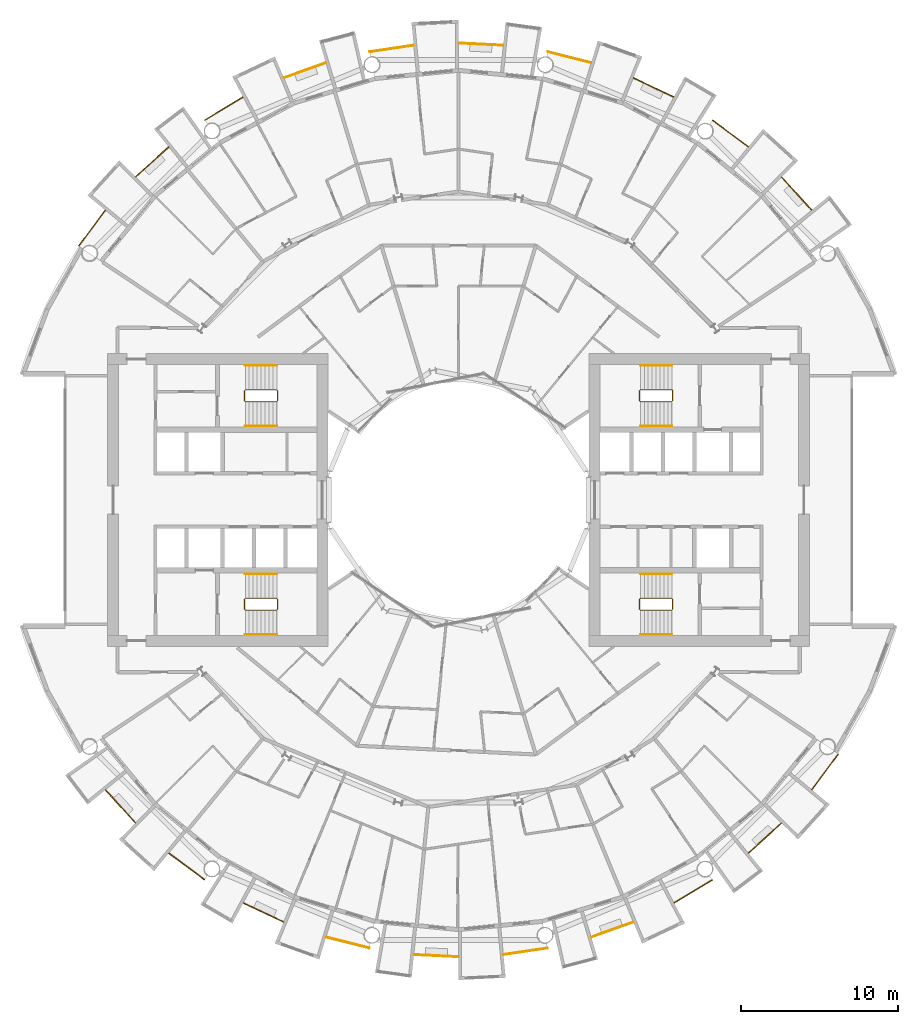
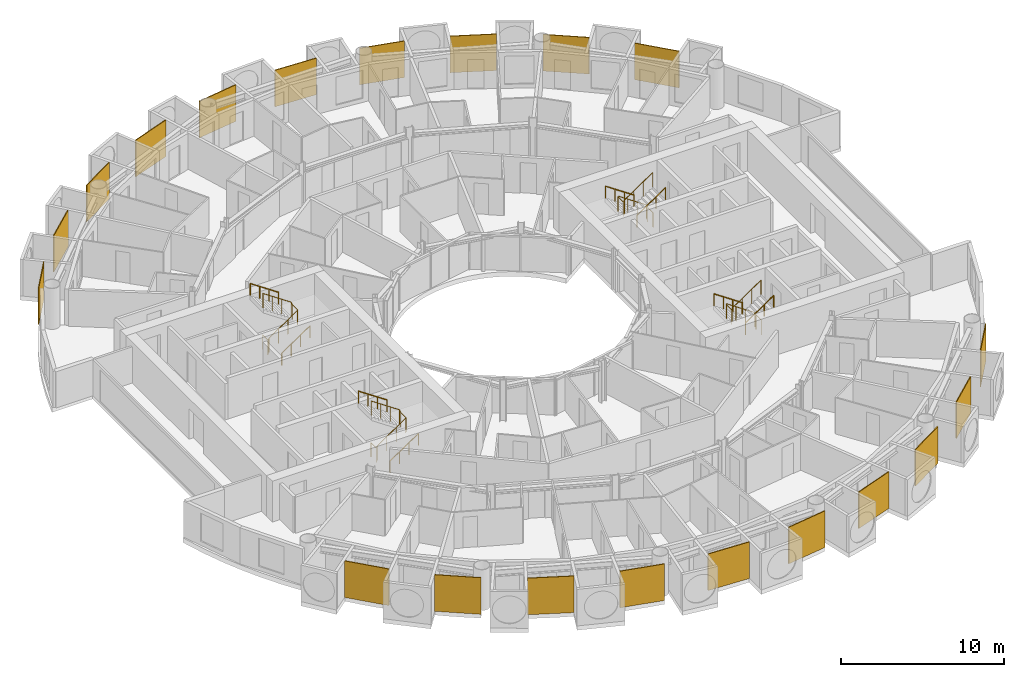
# One storey, part 26 of 26: 32 railings.
"""IFC4 building model written with IfcOpenShell, lengths in metres."""

import ifcopenshell
import ifcopenshell.guid

model = None  # the IFC model being written
_history = None  # IfcOwnerHistory: only IFC2X3 demands one
_inside = {}  # id of a spatial element -> (the spatial element, [elements in it])
_under = {}  # id of a project, library or spatial element -> (it, [spatial elements below it])
_declared = {}  # id of a project -> (the project, [libraries it declares])
_typed = {}  # id of a type object -> (the type object, [elements of that type])
_made_of = {}  # id of a material, layer set ... -> (it, [elements and type objects made of it])


def new_model(schema):
    """Start an empty IFC model of exactly this schema.

    Asked for "IFC4X3", IfcOpenShell would pick the latest addendum, in which some entities
    have other attributes; the version numbers below select the first issue.
    IFC2X3 requires an IfcOwnerHistory on every rooted entity: one is made here for all.
    """
    global model, _history
    if schema == "IFC4X3":
        model = ifcopenshell.file(schema_version=(4, 3, 0, 0))
    else:
        model = ifcopenshell.file(schema=schema)
    _inside.clear()
    _under.clear()
    _declared.clear()
    _typed.clear()
    _made_of.clear()
    _history = None
    if model.schema == "IFC2X3":
        org = make("IfcOrganization", Name="unknown")
        user = make(
            "IfcPersonAndOrganization",
            ThePerson=make("IfcPerson", FamilyName="unknown"),
            TheOrganization=org,
        )
        app = make(
            "IfcApplication",
            ApplicationDeveloper=org,
            Version="unknown",
            ApplicationFullName="unknown",
            ApplicationIdentifier="unknown",
        )
        _history = make(
            "IfcOwnerHistory",
            OwningUser=user,
            OwningApplication=app,
            ChangeAction="ADDED",
            CreationDate=0,
        )
    return model


def make(cls, **values):
    """One entity of the class cls with the attributes given. An attribute that is None is left unset."""
    return model.create_entity(
        cls, **{name: value for name, value in values.items() if value is not None}
    )


def rooted(cls, **values):
    """An entity with a GlobalId (a new one), such as an element, a storey or a relation."""
    return make(cls, GlobalId=ifcopenshell.guid.new(), OwnerHistory=_history, **values)


def si_unit(unit_type, name, prefix=None):
    """IfcSIUnit, for example si_unit("LENGTHUNIT", "METRE", prefix="MILLI")."""
    return make("IfcSIUnit", UnitType=unit_type, Prefix=prefix, Name=name)


def assignment(units):
    """IfcUnitAssignment: the units of a project."""
    return None if units is None else make("IfcUnitAssignment", Units=units)


def point(xyz):
    """IfcCartesianPoint."""
    return None if xyz is None else make("IfcCartesianPoint", Coordinates=xyz)


def direction(xyz):
    """IfcDirection."""
    return None if xyz is None else make("IfcDirection", DirectionRatios=xyz)


def frame(location, z_axis=None, x_axis=None):
    """IfcAxis2Placement3D, a coordinate frame: its origin and axes. An axis left out is left unset."""
    return make(
        "IfcAxis2Placement3D",
        Location=point(location),
        Axis=direction(z_axis),
        RefDirection=direction(x_axis),
    )


def frame_2d(location, x_axis=None):
    """IfcAxis2Placement2D, a coordinate frame in the plane: its origin and x axis."""
    return make(
        "IfcAxis2Placement2D", Location=point(location), RefDirection=direction(x_axis)
    )


def origin():
    """The frame at (0, 0, 0) with its axes left unset."""
    return frame((0.0, 0.0, 0.0))


def origin_2d():
    """The frame at (0, 0) in the plane with its x axis left unset."""
    return frame_2d((0.0, 0.0))


def place(relative_to, where):
    """IfcLocalPlacement: puts the frame where relative to a parent placement (None: the world)."""
    return make(
        "IfcLocalPlacement", PlacementRelTo=relative_to, RelativePlacement=where
    )


def context(
    kind, dimensions, precision=None, world=None, true_north=None, identifier=None
):
    """IfcGeometricRepresentationContext, for example the 3D "Model" context."""
    return make(
        "IfcGeometricRepresentationContext",
        ContextIdentifier=identifier,
        ContextType=kind,
        CoordinateSpaceDimension=dimensions,
        Precision=precision,
        WorldCoordinateSystem=world,
        TrueNorth=true_north,
    )


def subcontext(parent, identifier, kind, view, scale=None):
    """IfcGeometricRepresentationSubContext, for example "Body" below "Model"."""
    return make(
        "IfcGeometricRepresentationSubContext",
        ContextIdentifier=identifier,
        ContextType=kind,
        ParentContext=parent,
        TargetScale=scale,
        TargetView=view,
    )


def project(units=None, contexts=None):
    """IfcProject with its units and contexts."""
    return rooted(
        "IfcProject",
        Name="project",
        RepresentationContexts=contexts,
        UnitsInContext=assignment(units),
    )


def spatial(cls, under=None, at=None, **own):
    """A site, building, storey or space (cls), placed at a placement, below another one or the project."""
    s = rooted(cls, ObjectPlacement=at, **own)
    if under is not None:
        _under.setdefault(under.id(), (under, []))[1].append(s)
    return s


def polyline(points):
    """IfcPolyline through the points."""
    return make("IfcPolyline", Points=[point(p) for p in points])


def profile(cls, at=None, kind="AREA", **sizes):
    """A parametric profile (cls). Its sizes go by their IFC names, for example OverallWidth=200.0."""
    return make(cls, ProfileType=kind, Position=at, **sizes)


def circle(**sizes):
    """IfcCircleProfileDef."""
    return profile("IfcCircleProfileDef", **sizes)


def outline(outer, holes=None, kind="AREA"):
    """IfcArbitraryClosedProfileDef: a profile drawn as a closed curve; with holes, ...WithVoids."""
    if holes is None:
        return make("IfcArbitraryClosedProfileDef", ProfileType=kind, OuterCurve=outer)
    return make(
        "IfcArbitraryProfileDefWithVoids",
        ProfileType=kind,
        OuterCurve=outer,
        InnerCurves=holes,
    )


def extrude(swept, where, along, depth):
    """IfcExtrudedAreaSolid: the profile swept, set in the frame where, extruded along a direction by depth."""
    return make(
        "IfcExtrudedAreaSolid",
        SweptArea=swept,
        Position=where,
        ExtrudedDirection=direction(along),
        Depth=depth,
    )


def shape(context_of_items, identifier, shape_type, items):
    """IfcShapeRepresentation: the items that make up one representation, for example the "Body"."""
    return make(
        "IfcShapeRepresentation",
        ContextOfItems=context_of_items,
        RepresentationIdentifier=identifier,
        RepresentationType=shape_type,
        Items=items,
    )


def material(Name=None, Category=None):
    """IfcMaterial."""
    return make("IfcMaterial", Name=Name, Category=Category)


def layer(
    of_material, thickness, ventilated=None, Name=None, Category=None, Priority=None
):
    """IfcMaterialLayer: one layer of a wall or slab, of a material (None: an air gap)."""
    return make(
        "IfcMaterialLayer",
        Material=of_material,
        LayerThickness=thickness,
        IsVentilated=ventilated,
        Name=Name,
        Category=Category,
        Priority=Priority,
    )


def layer_set(layers, Name=None):
    """IfcMaterialLayerSet."""
    return make("IfcMaterialLayerSet", MaterialLayers=layers, LayerSetName=Name)


def made_of(thing, what):
    """Note that an element or type object is made of a material, layer set ...; save() writes the relation."""
    if what is not None:
        _made_of.setdefault(what.id(), (what, []))[1].append(thing)
    return thing


def type_object(cls, material=None, **own):
    """A type object (cls), such as IfcWallType, which elements share."""
    return made_of(rooted(cls, **own), material)


def element(
    cls,
    number,
    at=None,
    inside=None,
    cuts=None,
    type_object=None,
    material=None,
    context=None,
    identifier="Body",
    shape_type=None,
    held_by="IfcProductDefinitionShape",
    body=None,
    shapes=None,
    **own,
):
    """One element of the class cls, such as IfcWall. Its Tag is "e" and its number.

    at: its placement. inside: the storey or other place that contains it. cuts: it is an
    opening in that element (IfcRelVoidsElement). A single representation is given by context,
    identifier, shape_type and body (its items); several are given by shapes. held_by: the class
    of the entity that holds the representations. save() writes the other relations.
    """
    e = rooted(cls, Tag="e%d" % number, ObjectPlacement=at, **own)
    if body is not None:
        shapes = [shape(context, identifier, shape_type, body)]
    if shapes is not None:
        e.Representation = make(held_by, Representations=shapes)
    if inside is not None:
        _inside.setdefault(inside.id(), (inside, []))[1].append(e)
    if cuts is not None:
        rooted(
            "IfcRelVoidsElement", RelatingBuildingElement=cuts, RelatedOpeningElement=e
        )
    if type_object is not None:
        _typed.setdefault(type_object.id(), (type_object, []))[1].append(e)
    return made_of(e, material)


def aggregate(whole, parts):
    """IfcRelAggregates: a whole, such as a stair, and the parts it consists of."""
    return rooted("IfcRelAggregates", RelatingObject=whole, RelatedObjects=parts)


def save(model, path):
    """Write the relations noted so far, then the file.

    IfcRelAggregates (storeys below a building ...), IfcRelContainedInSpatialStructure (elements
    in a storey), IfcRelDefinesByType, IfcRelAssociatesMaterial and IfcRelDeclares: one each for
    every whole, place, type object, material and project.
    """
    for whole, parts in _under.values():
        aggregate(whole, parts)
    for where, things in _inside.values():
        rooted(
            "IfcRelContainedInSpatialStructure",
            RelatedElements=things,
            RelatingStructure=where,
        )
    for kind, things in _typed.values():
        rooted("IfcRelDefinesByType", RelatedObjects=things, RelatingType=kind)
    for what, things in _made_of.values():
        rooted("IfcRelAssociatesMaterial", RelatedObjects=things, RelatingMaterial=what)
    for by, libraries in _declared.values():
        rooted("IfcRelDeclares", RelatingContext=by, RelatedDefinitions=libraries)
    model.write(path)


model = new_model("IFC4")

# Units and contexts
model_context = context("Model", 3, precision=1e-05, world=origin(), true_north=direction((0.0, 1.0)))
body_context = subcontext(model_context, "Body", "Model", "MODEL_VIEW")
ifc_project = project(units=[si_unit("LENGTHUNIT", "METRE"), si_unit("AREAUNIT", "SQUARE_METRE"), si_unit("VOLUMEUNIT", "CUBIC_METRE"), si_unit("PLANEANGLEUNIT", "RADIAN"), si_unit("MASSUNIT", "GRAM", prefix="KILO")], contexts=[model_context])

# Site, building, storey
site_placement = place(None, origin())
site = spatial("IfcSite", under=ifc_project, at=site_placement, CompositionType="ELEMENT")
building_placement = place(site_placement, origin())
building = spatial("IfcBuilding", under=site, at=building_placement, Name="Maasbend Ring Residences", CompositionType="ELEMENT")
storey_placement = place(building_placement, frame((0.0, 0.0, 78.85009765625)))
storey = spatial("IfcBuildingStorey", under=building, at=storey_placement, Name="L22", CompositionType="ELEMENT", Elevation=78.85009765625)

# Railings
ifc_material_1 = material(Name="Pale anodised perforated aluminium", Category="aluminium")
ifc_layer = layer(ifc_material_1, 0.06005859375)
ifc_layer_set = layer_set([ifc_layer], Name="SCREEN-P")
railing_type_1 = type_object("IfcRailingType", Name="SCREEN-P", PredefinedType="GUARDRAIL", material=ifc_layer_set)
railing_1_placement = place(storey_placement, frame((0.0, 0.0, -0.030029296875)))
element("IfcRailing", 1, at=railing_1_placement, inside=storey, type_object=railing_type_1, Name="Perforated screen guard 1", PredefinedType="GUARDRAIL", context=body_context, shape_type="SweptSolid", body=[
    extrude(outline(polyline([(22.4169921875, 18.39697265625), (20.506103515625, 20.506103515625), (20.551025390625, 20.5458984375), (22.4619140625, 18.43798828125), (22.4169921875, 18.39697265625)])), origin(), (0.0, 0.0, 1.0), 2.72998046875),
])
railing_2_placement = place(storey_placement, frame((0.0, 0.0, -0.030029296875)))
element("IfcRailing", 2, at=railing_2_placement, inside=storey, type_object=railing_type_1, Name="Perforated screen guard 2", PredefinedType="GUARDRAIL", context=body_context, shape_type="SweptSolid", body=[
    extrude(outline(polyline([(18.39697265625, 22.4169921875), (16.112060546875, 24.113037109375), (16.14697265625, 24.160888671875), (18.43310546875, 22.465087890625), (18.39697265625, 22.4169921875)])), origin(), (0.0, 0.0, 1.0), 2.72998046875),
])
railing_3_placement = place(storey_placement, frame((0.0, 0.0, -0.030029296875)))
element("IfcRailing", 3, at=railing_3_placement, inside=storey, type_object=railing_type_1, Name="Perforated screen guard 3", PredefinedType="GUARDRAIL", context=body_context, shape_type="SweptSolid", body=[
    extrude(outline(polyline([(13.6708984375, 25.575927734375), (11.097900390625, 26.79296875), (11.123046875, 26.846923828125), (13.696044921875, 25.6298828125), (13.6708984375, 25.575927734375)])), origin(), (0.0, 0.0, 1.0), 2.72998046875),
])
railing_4_placement = place(storey_placement, frame((0.0, 0.0, -0.030029296875)))
element("IfcRailing", 4, at=railing_4_placement, inside=storey, type_object=railing_type_1, Name="Perforated screen guard 4", PredefinedType="GUARDRAIL", context=body_context, shape_type="SweptSolid", body=[
    extrude(outline(polyline([(8.41796875, 27.7509765625), (5.657958984375, 28.443115234375), (5.672119140625, 28.5009765625), (8.43310546875, 27.80908203125), (8.41796875, 27.7509765625)])), origin(), (0.0, 0.0, 1.0), 2.72998046875),
])
railing_5_placement = place(storey_placement, frame((0.0, 0.0, -0.030029296875)))
element("IfcRailing", 5, at=railing_5_placement, inside=storey, type_object=railing_type_1, Name="Perforated screen guard 5", PredefinedType="GUARDRAIL", context=body_context, shape_type="SweptSolid", body=[
    extrude(outline(polyline([(2.842041015625, 28.860107421875), (0.0, 29.0), (0.0029296875, 29.06005859375), (2.844970703125, 28.919921875), (2.842041015625, 28.860107421875)])), origin(), (0.0, 0.0, 1.0), 2.72998046875),
])
railing_6_placement = place(storey_placement, frame((0.0, 0.0, -0.030029296875)))
element("IfcRailing", 6, at=railing_6_placement, inside=storey, type_object=railing_type_1, Name="Perforated screen guard 6", PredefinedType="GUARDRAIL", context=body_context, shape_type="SweptSolid", body=[
    extrude(outline(polyline([(-2.842041015625, 28.860107421875), (-5.657958984375, 28.443115234375), (-5.666015625, 28.501953125), (-2.85107421875, 28.919921875), (-2.842041015625, 28.860107421875)])), origin(), (0.0, 0.0, 1.0), 2.72998046875),
])
railing_7_placement = place(storey_placement, frame((0.0, 0.0, -0.030029296875)))
element("IfcRailing", 7, at=railing_7_placement, inside=storey, type_object=railing_type_1, Name="Perforated screen guard 7", PredefinedType="GUARDRAIL", context=body_context, shape_type="SweptSolid", body=[
    extrude(outline(polyline([(-8.41796875, 27.7509765625), (-11.097900390625, 26.79296875), (-11.117919921875, 26.84912109375), (-8.43798828125, 27.80810546875), (-8.41796875, 27.7509765625)])), origin(), (0.0, 0.0, 1.0), 2.72998046875),
])
railing_8_placement = place(storey_placement, frame((0.0, 0.0, -0.030029296875)))
element("IfcRailing", 8, at=railing_8_placement, inside=storey, type_object=railing_type_1, Name="Perforated screen guard 8", PredefinedType="GUARDRAIL", context=body_context, shape_type="SweptSolid", body=[
    extrude(outline(polyline([(-13.6708984375, 25.575927734375), (-16.112060546875, 24.113037109375), (-16.14208984375, 24.1640625), (-13.700927734375, 25.626953125), (-13.6708984375, 25.575927734375)])), origin(), (0.0, 0.0, 1.0), 2.72998046875),
])
railing_9_placement = place(storey_placement, frame((0.0, 0.0, -0.030029296875)))
element("IfcRailing", 9, at=railing_9_placement, inside=storey, type_object=railing_type_1, Name="Perforated screen guard 9", PredefinedType="GUARDRAIL", context=body_context, shape_type="SweptSolid", body=[
    extrude(outline(polyline([(-18.39697265625, 22.4169921875), (-20.506103515625, 20.506103515625), (-20.5458984375, 20.551025390625), (-18.43798828125, 22.4619140625), (-18.39697265625, 22.4169921875)])), origin(), (0.0, 0.0, 1.0), 2.72998046875),
])
railing_10_placement = place(storey_placement, frame((0.0, 0.0, -0.030029296875)))
element("IfcRailing", 10, at=railing_10_placement, inside=storey, type_object=railing_type_1, Name="Perforated screen guard 10", PredefinedType="GUARDRAIL", context=body_context, shape_type="SweptSolid", body=[
    extrude(outline(polyline([(-22.4169921875, 18.39697265625), (-24.113037109375, 16.112060546875), (-24.160888671875, 16.14697265625), (-22.465087890625, 18.43310546875), (-22.4169921875, 18.39697265625)])), origin(), (0.0, 0.0, 1.0), 2.72998046875),
])
railing_11_placement = place(storey_placement, frame((0.0, 0.0, -0.030029296875)))
element("IfcRailing", 11, at=railing_11_placement, inside=storey, type_object=railing_type_1, Name="Perforated screen guard 1", PredefinedType="GUARDRAIL", context=body_context, shape_type="SweptSolid", body=[
    extrude(outline(polyline([(-22.4169921875, -18.39697265625), (-20.506103515625, -20.506103515625), (-20.551025390625, -20.5458984375), (-22.4619140625, -18.43798828125), (-22.4169921875, -18.39697265625)])), origin(), (0.0, 0.0, 1.0), 2.72998046875),
])
railing_12_placement = place(storey_placement, frame((0.0, 0.0, -0.030029296875)))
element("IfcRailing", 12, at=railing_12_placement, inside=storey, type_object=railing_type_1, Name="Perforated screen guard 2", PredefinedType="GUARDRAIL", context=body_context, shape_type="SweptSolid", body=[
    extrude(outline(polyline([(-18.39697265625, -22.4169921875), (-16.112060546875, -24.113037109375), (-16.14697265625, -24.160888671875), (-18.43310546875, -22.465087890625), (-18.39697265625, -22.4169921875)])), origin(), (0.0, 0.0, 1.0), 2.72998046875),
])
railing_13_placement = place(storey_placement, frame((0.0, 0.0, -0.030029296875)))
element("IfcRailing", 13, at=railing_13_placement, inside=storey, type_object=railing_type_1, Name="Perforated screen guard 3", PredefinedType="GUARDRAIL", context=body_context, shape_type="SweptSolid", body=[
    extrude(outline(polyline([(-13.6708984375, -25.575927734375), (-11.097900390625, -26.79296875), (-11.123046875, -26.846923828125), (-13.696044921875, -25.6298828125), (-13.6708984375, -25.575927734375)])), origin(), (0.0, 0.0, 1.0), 2.72998046875),
])
railing_14_placement = place(storey_placement, frame((0.0, 0.0, -0.030029296875)))
element("IfcRailing", 14, at=railing_14_placement, inside=storey, type_object=railing_type_1, Name="Perforated screen guard 4", PredefinedType="GUARDRAIL", context=body_context, shape_type="SweptSolid", body=[
    extrude(outline(polyline([(-8.41796875, -27.7509765625), (-5.657958984375, -28.443115234375), (-5.672119140625, -28.5009765625), (-8.43310546875, -27.80908203125), (-8.41796875, -27.7509765625)])), origin(), (0.0, 0.0, 1.0), 2.72998046875),
])
railing_15_placement = place(storey_placement, frame((0.0, 0.0, -0.030029296875)))
element("IfcRailing", 15, at=railing_15_placement, inside=storey, type_object=railing_type_1, Name="Perforated screen guard 5", PredefinedType="GUARDRAIL", context=body_context, shape_type="SweptSolid", body=[
    extrude(outline(polyline([(-2.842041015625, -28.860107421875), (0.0, -29.0), (-0.0029296875, -29.06005859375), (-2.844970703125, -28.919921875), (-2.842041015625, -28.860107421875)])), origin(), (0.0, 0.0, 1.0), 2.72998046875),
])
railing_16_placement = place(storey_placement, frame((0.0, 0.0, -0.030029296875)))
element("IfcRailing", 16, at=railing_16_placement, inside=storey, type_object=railing_type_1, Name="Perforated screen guard 6", PredefinedType="GUARDRAIL", context=body_context, shape_type="SweptSolid", body=[
    extrude(outline(polyline([(2.842041015625, -28.860107421875), (5.657958984375, -28.443115234375), (5.666015625, -28.501953125), (2.85107421875, -28.919921875), (2.842041015625, -28.860107421875)])), origin(), (0.0, 0.0, 1.0), 2.72998046875),
])
railing_17_placement = place(storey_placement, frame((0.0, 0.0, -0.030029296875)))
element("IfcRailing", 17, at=railing_17_placement, inside=storey, type_object=railing_type_1, Name="Perforated screen guard 7", PredefinedType="GUARDRAIL", context=body_context, shape_type="SweptSolid", body=[
    extrude(outline(polyline([(8.41796875, -27.7509765625), (11.097900390625, -26.79296875), (11.117919921875, -26.84912109375), (8.43798828125, -27.80810546875), (8.41796875, -27.7509765625)])), origin(), (0.0, 0.0, 1.0), 2.72998046875),
])
railing_18_placement = place(storey_placement, frame((0.0, 0.0, -0.030029296875)))
element("IfcRailing", 18, at=railing_18_placement, inside=storey, type_object=railing_type_1, Name="Perforated screen guard 8", PredefinedType="GUARDRAIL", context=body_context, shape_type="SweptSolid", body=[
    extrude(outline(polyline([(13.6708984375, -25.575927734375), (16.112060546875, -24.113037109375), (16.14208984375, -24.1640625), (13.700927734375, -25.626953125), (13.6708984375, -25.575927734375)])), origin(), (0.0, 0.0, 1.0), 2.72998046875),
])
railing_19_placement = place(storey_placement, frame((0.0, 0.0, -0.030029296875)))
element("IfcRailing", 19, at=railing_19_placement, inside=storey, type_object=railing_type_1, Name="Perforated screen guard 9", PredefinedType="GUARDRAIL", context=body_context, shape_type="SweptSolid", body=[
    extrude(outline(polyline([(18.39697265625, -22.4169921875), (20.506103515625, -20.506103515625), (20.5458984375, -20.551025390625), (18.43798828125, -22.4619140625), (18.39697265625, -22.4169921875)])), origin(), (0.0, 0.0, 1.0), 2.72998046875),
])
railing_20_placement = place(storey_placement, frame((0.0, 0.0, -0.030029296875)))
element("IfcRailing", 20, at=railing_20_placement, inside=storey, type_object=railing_type_1, Name="Perforated screen guard 10", PredefinedType="GUARDRAIL", context=body_context, shape_type="SweptSolid", body=[
    extrude(outline(polyline([(22.4169921875, -18.39697265625), (24.113037109375, -16.112060546875), (24.160888671875, -16.14697265625), (22.465087890625, -18.43310546875), (22.4169921875, -18.39697265625)])), origin(), (0.0, 0.0, 1.0), 2.72998046875),
])
ifc_material_2 = material(Name="Stainless steel 316", Category="steel")
railing_type_2 = type_object("IfcRailingType", Name="STAIR GUARD 1100", PredefinedType="GUARDRAIL", material=ifc_material_2)
railing_21_placement = place(storey_placement, frame((13.60009765625, 6.300048828125, 0.0)))
element("IfcRailing", 21, at=railing_21_placement, inside=storey, type_object=railing_type_2, Name="L22 ST-E1 stair guard 1", PredefinedType="GUARDRAIL", context=body_context, shape_type="SweptSolid", body=[
    extrude(circle(Radius=0.02392578125, at=origin_2d()), frame((0.0, 0.0, 1.076171875), z_axis=(0.0, 1.0, 0.0), x_axis=(-1.0, 0.0, 0.0)), (0.0, 0.0, 1.0), 0.64990234375),
    extrude(circle(Radius=0.02392578125, at=origin_2d()), frame((0.0, 0.64990234375, 1.076171875), z_axis=(-0.272562526181, 0.272562526181, 0.92272386912), x_axis=(-0.707106781187, -0.707106781187, 0.0)), (0.0, 0.0, 1.0), 0.18359375),
    extrude(circle(Radius=0.02392578125, at=origin_2d()), frame((-0.050048828125, 0.699951171875, 1.24560546875), z_axis=(-0.827797584762, 0.0, 0.561026878735), x_axis=(0.0, -1.0, 0.0)), (0.0, 0.0, 1.0), 2.416015625),
    extrude(circle(Radius=0.02392578125, at=origin_2d()), frame((-2.050048828125, 0.699951171875, 2.60107421875), z_axis=(-0.707106781187, -0.707106781187, 0.0), x_axis=(0.707106781187, -0.707106781187, 0.0)), (0.0, 0.0, 1.0), 0.07080078125),
    extrude(circle(Radius=0.02392578125, at=origin_2d()), frame((-2.10009765625, 0.64990234375, 2.60107421875), z_axis=(0.0, -1.0, 0.0), x_axis=(1.0, 0.0, 0.0)), (0.0, 0.0, 1.0), 0.64990234375),
    extrude(circle(Radius=0.02392578125, at=origin_2d()), frame((-2.10009765625, 0.0, 2.60107421875), z_axis=(0.272562526181, -0.272562526181, 0.92272386912), x_axis=(0.707106781187, 0.707106781187, 0.0)), (0.0, 0.0, 1.0), 0.18359375),
    extrude(circle(Radius=0.02392578125, at=origin_2d()), frame((-2.050048828125, -0.050048828125, 2.7705078125), z_axis=(0.827797584762, 0.0, 0.561026878735), x_axis=(0.0, 1.0, 0.0)), (0.0, 0.0, 1.0), 2.416015625),
    extrude(circle(Radius=0.02099609375, at=origin_2d()), origin(), (0.0, 0.0, 1.0), 1.052001953125),
    extrude(circle(Radius=0.02099609375, at=origin_2d()), frame((0.0, 0.64990234375, 0.0)), (0.0, 0.0, 1.0), 1.052001953125),
    extrude(circle(Radius=0.02099609375, at=origin_2d()), frame((-0.050048828125, 0.699951171875, 0.16943359375)), (0.0, 0.0, 1.0), 1.052001953125),
    extrude(circle(Radius=0.02099609375, at=origin_2d()), frame((-0.716796875, 0.699951171875, 0.621337890625)), (0.0, 0.0, 1.0), 1.052001953125),
    extrude(circle(Radius=0.02099609375, at=origin_2d()), frame((-1.38330078125, 0.699951171875, 1.072998046875)), (0.0, 0.0, 1.0), 1.052001953125),
    extrude(circle(Radius=0.02099609375, at=origin_2d()), frame((-2.050048828125, 0.699951171875, 1.52490234375)), (0.0, 0.0, 1.0), 1.052001953125),
    extrude(circle(Radius=0.02099609375, at=origin_2d()), frame((-2.10009765625, 0.64990234375, 1.52490234375)), (0.0, 0.0, 1.0), 1.052001953125),
    extrude(circle(Radius=0.02099609375, at=origin_2d()), frame((-2.10009765625, 0.0, 1.52490234375)), (0.0, 0.0, 1.0), 1.052001953125),
    extrude(circle(Radius=0.02099609375, at=origin_2d()), frame((-2.050048828125, -0.050048828125, 1.6943359375)), (0.0, 0.0, 1.0), 1.052001953125),
    extrude(circle(Radius=0.02099609375, at=origin_2d()), frame((-1.38330078125, -0.050048828125, 2.146240234375)), (0.0, 0.0, 1.0), 1.052001953125),
    extrude(circle(Radius=0.02099609375, at=origin_2d()), frame((-0.716796875, -0.050048828125, 2.597900390625)), (0.0, 0.0, 1.0), 1.052001953125),
    extrude(circle(Radius=0.02099609375, at=origin_2d()), frame((-0.050048828125, -0.050048828125, 3.0498046875)), (0.0, 0.0, 1.0), 1.052001953125),
])
railing_22_placement = place(storey_placement, frame((13.60009765625, -6.949951171875, 0.0)))
element("IfcRailing", 22, at=railing_22_placement, inside=storey, type_object=railing_type_2, Name="L22 ST-E2 stair guard 1", PredefinedType="GUARDRAIL", context=body_context, shape_type="SweptSolid", body=[
    extrude(circle(Radius=0.02392578125, at=origin_2d()), frame((0.0, 0.0, 1.076171875), z_axis=(0.0, 1.0, 0.0), x_axis=(-1.0, 0.0, 0.0)), (0.0, 0.0, 1.0), 0.64990234375),
    extrude(circle(Radius=0.02392578125, at=origin_2d()), frame((0.0, 0.64990234375, 1.076171875), z_axis=(-0.272562526181, 0.272562526181, 0.92272386912), x_axis=(-0.707106781187, -0.707106781187, 0.0)), (0.0, 0.0, 1.0), 0.18359375),
    extrude(circle(Radius=0.02392578125, at=origin_2d()), frame((-0.050048828125, 0.699951171875, 1.24560546875), z_axis=(-0.827797584762, 0.0, 0.561026878735), x_axis=(0.0, -1.0, 0.0)), (0.0, 0.0, 1.0), 2.416015625),
    extrude(circle(Radius=0.02392578125, at=origin_2d()), frame((-2.050048828125, 0.699951171875, 2.60107421875), z_axis=(-0.707106781187, -0.707106781187, 0.0), x_axis=(0.707106781187, -0.707106781187, 0.0)), (0.0, 0.0, 1.0), 0.07080078125),
    extrude(circle(Radius=0.02392578125, at=origin_2d()), frame((-2.10009765625, 0.64990234375, 2.60107421875), z_axis=(0.0, -1.0, 0.0), x_axis=(1.0, 0.0, 0.0)), (0.0, 0.0, 1.0), 0.64990234375),
    extrude(circle(Radius=0.02392578125, at=origin_2d()), frame((-2.10009765625, 0.0, 2.60107421875), z_axis=(0.272562526181, -0.272562526181, 0.92272386912), x_axis=(0.707106781187, 0.707106781187, 0.0)), (0.0, 0.0, 1.0), 0.18359375),
    extrude(circle(Radius=0.02392578125, at=origin_2d()), frame((-2.050048828125, -0.050048828125, 2.7705078125), z_axis=(0.827797584762, 0.0, 0.561026878735), x_axis=(0.0, 1.0, 0.0)), (0.0, 0.0, 1.0), 2.416015625),
    extrude(circle(Radius=0.02099609375, at=origin_2d()), origin(), (0.0, 0.0, 1.0), 1.052001953125),
    extrude(circle(Radius=0.02099609375, at=origin_2d()), frame((0.0, 0.64990234375, 0.0)), (0.0, 0.0, 1.0), 1.052001953125),
    extrude(circle(Radius=0.02099609375, at=origin_2d()), frame((-0.050048828125, 0.699951171875, 0.16943359375)), (0.0, 0.0, 1.0), 1.052001953125),
    extrude(circle(Radius=0.02099609375, at=origin_2d()), frame((-0.716796875, 0.699951171875, 0.621337890625)), (0.0, 0.0, 1.0), 1.052001953125),
    extrude(circle(Radius=0.02099609375, at=origin_2d()), frame((-1.38330078125, 0.699951171875, 1.072998046875)), (0.0, 0.0, 1.0), 1.052001953125),
    extrude(circle(Radius=0.02099609375, at=origin_2d()), frame((-2.050048828125, 0.699951171875, 1.52490234375)), (0.0, 0.0, 1.0), 1.052001953125),
    extrude(circle(Radius=0.02099609375, at=origin_2d()), frame((-2.10009765625, 0.64990234375, 1.52490234375)), (0.0, 0.0, 1.0), 1.052001953125),
    extrude(circle(Radius=0.02099609375, at=origin_2d()), frame((-2.10009765625, 0.0, 1.52490234375)), (0.0, 0.0, 1.0), 1.052001953125),
    extrude(circle(Radius=0.02099609375, at=origin_2d()), frame((-2.050048828125, -0.050048828125, 1.6943359375)), (0.0, 0.0, 1.0), 1.052001953125),
    extrude(circle(Radius=0.02099609375, at=origin_2d()), frame((-1.38330078125, -0.050048828125, 2.146240234375)), (0.0, 0.0, 1.0), 1.052001953125),
    extrude(circle(Radius=0.02099609375, at=origin_2d()), frame((-0.716796875, -0.050048828125, 2.597900390625)), (0.0, 0.0, 1.0), 1.052001953125),
    extrude(circle(Radius=0.02099609375, at=origin_2d()), frame((-0.050048828125, -0.050048828125, 3.0498046875)), (0.0, 0.0, 1.0), 1.052001953125),
])
railing_23_placement = place(storey_placement, frame((-13.60009765625, -6.300048828125, 0.0)))
element("IfcRailing", 23, at=railing_23_placement, inside=storey, type_object=railing_type_2, Name="L22 ST-W1 stair guard 1", PredefinedType="GUARDRAIL", context=body_context, shape_type="SweptSolid", body=[
    extrude(circle(Radius=0.02392578125, at=origin_2d()), frame((0.0, 0.0, 1.076171875), z_axis=(0.0, -1.0, 0.0), x_axis=(1.0, 0.0, 0.0)), (0.0, 0.0, 1.0), 0.64990234375),
    extrude(circle(Radius=0.02392578125, at=origin_2d()), frame((0.0, -0.64990234375, 1.076171875), z_axis=(0.272562526181, -0.272562526181, 0.92272386912), x_axis=(0.707106781187, 0.707106781187, 0.0)), (0.0, 0.0, 1.0), 0.18359375),
    extrude(circle(Radius=0.02392578125, at=origin_2d()), frame((0.050048828125, -0.699951171875, 1.24560546875), z_axis=(0.827797584762, 0.0, 0.561026878735), x_axis=(0.0, 1.0, 0.0)), (0.0, 0.0, 1.0), 2.416015625),
    extrude(circle(Radius=0.02392578125, at=origin_2d()), frame((2.050048828125, -0.699951171875, 2.60107421875), z_axis=(0.707106781187, 0.707106781187, 0.0), x_axis=(-0.707106781187, 0.707106781187, 0.0)), (0.0, 0.0, 1.0), 0.07080078125),
    extrude(circle(Radius=0.02392578125, at=origin_2d()), frame((2.10009765625, -0.64990234375, 2.60107421875), z_axis=(0.0, 1.0, 0.0), x_axis=(-1.0, 0.0, 0.0)), (0.0, 0.0, 1.0), 0.64990234375),
    extrude(circle(Radius=0.02392578125, at=origin_2d()), frame((2.10009765625, 0.0, 2.60107421875), z_axis=(-0.272562526181, 0.272562526181, 0.92272386912), x_axis=(-0.707106781187, -0.707106781187, 0.0)), (0.0, 0.0, 1.0), 0.18359375),
    extrude(circle(Radius=0.02392578125, at=origin_2d()), frame((2.050048828125, 0.050048828125, 2.7705078125), z_axis=(-0.827797584762, 0.0, 0.561026878735), x_axis=(0.0, -1.0, 0.0)), (0.0, 0.0, 1.0), 2.416015625),
    extrude(circle(Radius=0.02099609375, at=origin_2d()), origin(), (0.0, 0.0, 1.0), 1.052001953125),
    extrude(circle(Radius=0.02099609375, at=origin_2d()), frame((0.0, -0.64990234375, 0.0)), (0.0, 0.0, 1.0), 1.052001953125),
    extrude(circle(Radius=0.02099609375, at=origin_2d()), frame((0.050048828125, -0.699951171875, 0.16943359375)), (0.0, 0.0, 1.0), 1.052001953125),
    extrude(circle(Radius=0.02099609375, at=origin_2d()), frame((0.716796875, -0.699951171875, 0.621337890625)), (0.0, 0.0, 1.0), 1.052001953125),
    extrude(circle(Radius=0.02099609375, at=origin_2d()), frame((1.38330078125, -0.699951171875, 1.072998046875)), (0.0, 0.0, 1.0), 1.052001953125),
    extrude(circle(Radius=0.02099609375, at=origin_2d()), frame((2.050048828125, -0.699951171875, 1.52490234375)), (0.0, 0.0, 1.0), 1.052001953125),
    extrude(circle(Radius=0.02099609375, at=origin_2d()), frame((2.10009765625, -0.64990234375, 1.52490234375)), (0.0, 0.0, 1.0), 1.052001953125),
    extrude(circle(Radius=0.02099609375, at=origin_2d()), frame((2.10009765625, 0.0, 1.52490234375)), (0.0, 0.0, 1.0), 1.052001953125),
    extrude(circle(Radius=0.02099609375, at=origin_2d()), frame((2.050048828125, 0.050048828125, 1.6943359375)), (0.0, 0.0, 1.0), 1.052001953125),
    extrude(circle(Radius=0.02099609375, at=origin_2d()), frame((1.38330078125, 0.050048828125, 2.146240234375)), (0.0, 0.0, 1.0), 1.052001953125),
    extrude(circle(Radius=0.02099609375, at=origin_2d()), frame((0.716796875, 0.050048828125, 2.597900390625)), (0.0, 0.0, 1.0), 1.052001953125),
    extrude(circle(Radius=0.02099609375, at=origin_2d()), frame((0.050048828125, 0.050048828125, 3.0498046875)), (0.0, 0.0, 1.0), 1.052001953125),
])
railing_24_placement = place(storey_placement, frame((-13.60009765625, 6.949951171875, 0.0)))
element("IfcRailing", 24, at=railing_24_placement, inside=storey, type_object=railing_type_2, Name="L22 ST-W2 stair guard 1", PredefinedType="GUARDRAIL", context=body_context, shape_type="SweptSolid", body=[
    extrude(circle(Radius=0.02392578125, at=origin_2d()), frame((0.0, 0.0, 1.076171875), z_axis=(0.0, -1.0, 0.0), x_axis=(1.0, 0.0, 0.0)), (0.0, 0.0, 1.0), 0.64990234375),
    extrude(circle(Radius=0.02392578125, at=origin_2d()), frame((0.0, -0.64990234375, 1.076171875), z_axis=(0.272562526181, -0.272562526181, 0.92272386912), x_axis=(0.707106781187, 0.707106781187, 0.0)), (0.0, 0.0, 1.0), 0.18359375),
    extrude(circle(Radius=0.02392578125, at=origin_2d()), frame((0.050048828125, -0.699951171875, 1.24560546875), z_axis=(0.827797584762, 0.0, 0.561026878735), x_axis=(0.0, 1.0, 0.0)), (0.0, 0.0, 1.0), 2.416015625),
    extrude(circle(Radius=0.02392578125, at=origin_2d()), frame((2.050048828125, -0.699951171875, 2.60107421875), z_axis=(0.707106781187, 0.707106781187, 0.0), x_axis=(-0.707106781187, 0.707106781187, 0.0)), (0.0, 0.0, 1.0), 0.07080078125),
    extrude(circle(Radius=0.02392578125, at=origin_2d()), frame((2.10009765625, -0.64990234375, 2.60107421875), z_axis=(0.0, 1.0, 0.0), x_axis=(-1.0, 0.0, 0.0)), (0.0, 0.0, 1.0), 0.64990234375),
    extrude(circle(Radius=0.02392578125, at=origin_2d()), frame((2.10009765625, 0.0, 2.60107421875), z_axis=(-0.272562526181, 0.272562526181, 0.92272386912), x_axis=(-0.707106781187, -0.707106781187, 0.0)), (0.0, 0.0, 1.0), 0.18359375),
    extrude(circle(Radius=0.02392578125, at=origin_2d()), frame((2.050048828125, 0.050048828125, 2.7705078125), z_axis=(-0.827797584762, 0.0, 0.561026878735), x_axis=(0.0, -1.0, 0.0)), (0.0, 0.0, 1.0), 2.416015625),
    extrude(circle(Radius=0.02099609375, at=origin_2d()), origin(), (0.0, 0.0, 1.0), 1.052001953125),
    extrude(circle(Radius=0.02099609375, at=origin_2d()), frame((0.0, -0.64990234375, 0.0)), (0.0, 0.0, 1.0), 1.052001953125),
    extrude(circle(Radius=0.02099609375, at=origin_2d()), frame((0.050048828125, -0.699951171875, 0.16943359375)), (0.0, 0.0, 1.0), 1.052001953125),
    extrude(circle(Radius=0.02099609375, at=origin_2d()), frame((0.716796875, -0.699951171875, 0.621337890625)), (0.0, 0.0, 1.0), 1.052001953125),
    extrude(circle(Radius=0.02099609375, at=origin_2d()), frame((1.38330078125, -0.699951171875, 1.072998046875)), (0.0, 0.0, 1.0), 1.052001953125),
    extrude(circle(Radius=0.02099609375, at=origin_2d()), frame((2.050048828125, -0.699951171875, 1.52490234375)), (0.0, 0.0, 1.0), 1.052001953125),
    extrude(circle(Radius=0.02099609375, at=origin_2d()), frame((2.10009765625, -0.64990234375, 1.52490234375)), (0.0, 0.0, 1.0), 1.052001953125),
    extrude(circle(Radius=0.02099609375, at=origin_2d()), frame((2.10009765625, 0.0, 1.52490234375)), (0.0, 0.0, 1.0), 1.052001953125),
    extrude(circle(Radius=0.02099609375, at=origin_2d()), frame((2.050048828125, 0.050048828125, 1.6943359375)), (0.0, 0.0, 1.0), 1.052001953125),
    extrude(circle(Radius=0.02099609375, at=origin_2d()), frame((1.38330078125, 0.050048828125, 2.146240234375)), (0.0, 0.0, 1.0), 1.052001953125),
    extrude(circle(Radius=0.02099609375, at=origin_2d()), frame((0.716796875, 0.050048828125, 2.597900390625)), (0.0, 0.0, 1.0), 1.052001953125),
    extrude(circle(Radius=0.02099609375, at=origin_2d()), frame((0.050048828125, 0.050048828125, 3.0498046875)), (0.0, 0.0, 1.0), 1.052001953125),
])
ifc_material_3 = material(Name="Stainless steel 316", Category="steel")
railing_type_3 = type_object("IfcRailingType", Name="STAIR HANDRAIL 900", PredefinedType="HANDRAIL", material=ifc_material_3)
railing_25_placement = place(storey_placement, frame((13.550048828125, 8.550048828125, 0.16943359375)))
element("IfcRailing", 25, at=railing_25_placement, inside=storey, type_object=railing_type_3, Name="L22 ST-E1 stair handrail 1", PredefinedType="HANDRAIL", context=body_context, shape_type="SweptSolid", body=[
    extrude(circle(Radius=0.02392578125, at=origin_2d()), frame((0.0, 0.0, 0.8759765625), z_axis=(-0.827797584762, 0.0, 0.561026878735), x_axis=(0.0, -1.0, 0.0)), (0.0, 0.0, 1.0), 2.416015625),
    extrude(circle(Radius=0.02099609375, at=origin_2d()), origin(), (0.0, 0.0, 1.0), 0.851806640625),
    extrude(circle(Radius=0.02099609375, at=origin_2d()), frame((-0.666748046875, 0.0, 0.451904296875)), (0.0, 0.0, 1.0), 0.851806640625),
    extrude(circle(Radius=0.02099609375, at=origin_2d()), frame((-1.333251953125, 0.0, 0.903564453125)), (0.0, 0.0, 1.0), 0.851806640625),
    extrude(circle(Radius=0.02099609375, at=origin_2d()), frame((-2.0, 0.0, 1.35546875)), (0.0, 0.0, 1.0), 0.851806640625),
])
railing_26_placement = place(storey_placement, frame((11.550048828125, 4.699951171875, 1.6943359375)))
element("IfcRailing", 26, at=railing_26_placement, inside=storey, type_object=railing_type_3, Name="L22 ST-E1 stair handrail 2", PredefinedType="HANDRAIL", context=body_context, shape_type="SweptSolid", body=[
    extrude(circle(Radius=0.02392578125, at=origin_2d()), frame((0.0, 0.0, 0.8759765625), z_axis=(0.827797584762, 0.0, 0.561026878735), x_axis=(0.0, 1.0, 0.0)), (0.0, 0.0, 1.0), 2.416015625),
    extrude(circle(Radius=0.02099609375, at=origin_2d()), origin(), (0.0, 0.0, 1.0), 0.851806640625),
    extrude(circle(Radius=0.02099609375, at=origin_2d()), frame((0.666748046875, 0.0, 0.451904296875)), (0.0, 0.0, 1.0), 0.851806640625),
    extrude(circle(Radius=0.02099609375, at=origin_2d()), frame((1.333251953125, 0.0, 0.903564453125)), (0.0, 0.0, 1.0), 0.851806640625),
    extrude(circle(Radius=0.02099609375, at=origin_2d()), frame((2.0, 0.0, 1.35546875)), (0.0, 0.0, 1.0), 0.851806640625),
])
railing_27_placement = place(storey_placement, frame((13.550048828125, -4.699951171875, 0.16943359375)))
element("IfcRailing", 27, at=railing_27_placement, inside=storey, type_object=railing_type_3, Name="L22 ST-E2 stair handrail 1", PredefinedType="HANDRAIL", context=body_context, shape_type="SweptSolid", body=[
    extrude(circle(Radius=0.02392578125, at=origin_2d()), frame((0.0, 0.0, 0.8759765625), z_axis=(-0.827797584762, 0.0, 0.561026878735), x_axis=(0.0, -1.0, 0.0)), (0.0, 0.0, 1.0), 2.416015625),
    extrude(circle(Radius=0.02099609375, at=origin_2d()), origin(), (0.0, 0.0, 1.0), 0.851806640625),
    extrude(circle(Radius=0.02099609375, at=origin_2d()), frame((-0.666748046875, 0.0, 0.451904296875)), (0.0, 0.0, 1.0), 0.851806640625),
    extrude(circle(Radius=0.02099609375, at=origin_2d()), frame((-1.333251953125, 0.0, 0.903564453125)), (0.0, 0.0, 1.0), 0.851806640625),
    extrude(circle(Radius=0.02099609375, at=origin_2d()), frame((-2.0, 0.0, 1.35546875)), (0.0, 0.0, 1.0), 0.851806640625),
])
for number, where, name in (
    (28, (11.550048828125, -8.550048828125, 1.6943359375), "L22 ST-E2 stair handrail 2"),
    (29, (-13.550048828125, -8.550048828125, 0.16943359375), "L22 ST-W1 stair handrail 1"),
):
    element("IfcRailing", number, at=place(storey_placement, frame(where)), inside=storey, type_object=railing_type_3, Name=name, PredefinedType="HANDRAIL", context=body_context, shape_type="SweptSolid", body=[
        extrude(circle(Radius=0.02392578125, at=origin_2d()), frame((0.0, 0.0, 0.8759765625), z_axis=(0.827797584762, 0.0, 0.561026878735), x_axis=(0.0, 1.0, 0.0)), (0.0, 0.0, 1.0), 2.416015625),
        extrude(circle(Radius=0.02099609375, at=origin_2d()), origin(), (0.0, 0.0, 1.0), 0.851806640625),
        extrude(circle(Radius=0.02099609375, at=origin_2d()), frame((0.666748046875, 0.0, 0.451904296875)), (0.0, 0.0, 1.0), 0.851806640625),
        extrude(circle(Radius=0.02099609375, at=origin_2d()), frame((1.333251953125, 0.0, 0.903564453125)), (0.0, 0.0, 1.0), 0.851806640625),
        extrude(circle(Radius=0.02099609375, at=origin_2d()), frame((2.0, 0.0, 1.35546875)), (0.0, 0.0, 1.0), 0.851806640625),
    ])
railing_28_placement = place(storey_placement, frame((-11.550048828125, -4.699951171875, 1.6943359375)))
element("IfcRailing", 30, at=railing_28_placement, inside=storey, type_object=railing_type_3, Name="L22 ST-W1 stair handrail 2", PredefinedType="HANDRAIL", context=body_context, shape_type="SweptSolid", body=[
    extrude(circle(Radius=0.02392578125, at=origin_2d()), frame((0.0, 0.0, 0.8759765625), z_axis=(-0.827797584762, 0.0, 0.561026878735), x_axis=(0.0, -1.0, 0.0)), (0.0, 0.0, 1.0), 2.416015625),
    extrude(circle(Radius=0.02099609375, at=origin_2d()), origin(), (0.0, 0.0, 1.0), 0.851806640625),
    extrude(circle(Radius=0.02099609375, at=origin_2d()), frame((-0.666748046875, 0.0, 0.451904296875)), (0.0, 0.0, 1.0), 0.851806640625),
    extrude(circle(Radius=0.02099609375, at=origin_2d()), frame((-1.333251953125, 0.0, 0.903564453125)), (0.0, 0.0, 1.0), 0.851806640625),
    extrude(circle(Radius=0.02099609375, at=origin_2d()), frame((-2.0, 0.0, 1.35546875)), (0.0, 0.0, 1.0), 0.851806640625),
])
railing_29_placement = place(storey_placement, frame((-13.550048828125, 4.699951171875, 0.16943359375)))
element("IfcRailing", 31, at=railing_29_placement, inside=storey, type_object=railing_type_3, Name="L22 ST-W2 stair handrail 1", PredefinedType="HANDRAIL", context=body_context, shape_type="SweptSolid", body=[
    extrude(circle(Radius=0.02392578125, at=origin_2d()), frame((0.0, 0.0, 0.8759765625), z_axis=(0.827797584762, 0.0, 0.561026878735), x_axis=(0.0, 1.0, 0.0)), (0.0, 0.0, 1.0), 2.416015625),
    extrude(circle(Radius=0.02099609375, at=origin_2d()), origin(), (0.0, 0.0, 1.0), 0.851806640625),
    extrude(circle(Radius=0.02099609375, at=origin_2d()), frame((0.666748046875, 0.0, 0.451904296875)), (0.0, 0.0, 1.0), 0.851806640625),
    extrude(circle(Radius=0.02099609375, at=origin_2d()), frame((1.333251953125, 0.0, 0.903564453125)), (0.0, 0.0, 1.0), 0.851806640625),
    extrude(circle(Radius=0.02099609375, at=origin_2d()), frame((2.0, 0.0, 1.35546875)), (0.0, 0.0, 1.0), 0.851806640625),
])
railing_30_placement = place(storey_placement, frame((-11.550048828125, 8.550048828125, 1.6943359375)))
element("IfcRailing", 32, at=railing_30_placement, inside=storey, type_object=railing_type_3, Name="L22 ST-W2 stair handrail 2", PredefinedType="HANDRAIL", context=body_context, shape_type="SweptSolid", body=[
    extrude(circle(Radius=0.02392578125, at=origin_2d()), frame((0.0, 0.0, 0.8759765625), z_axis=(-0.827797584762, 0.0, 0.561026878735), x_axis=(0.0, -1.0, 0.0)), (0.0, 0.0, 1.0), 2.416015625),
    extrude(circle(Radius=0.02099609375, at=origin_2d()), origin(), (0.0, 0.0, 1.0), 0.851806640625),
    extrude(circle(Radius=0.02099609375, at=origin_2d()), frame((-0.666748046875, 0.0, 0.451904296875)), (0.0, 0.0, 1.0), 0.851806640625),
    extrude(circle(Radius=0.02099609375, at=origin_2d()), frame((-1.333251953125, 0.0, 0.903564453125)), (0.0, 0.0, 1.0), 0.851806640625),
    extrude(circle(Radius=0.02099609375, at=origin_2d()), frame((-2.0, 0.0, 1.35546875)), (0.0, 0.0, 1.0), 0.851806640625),
])

save(model, "model.ifc")
